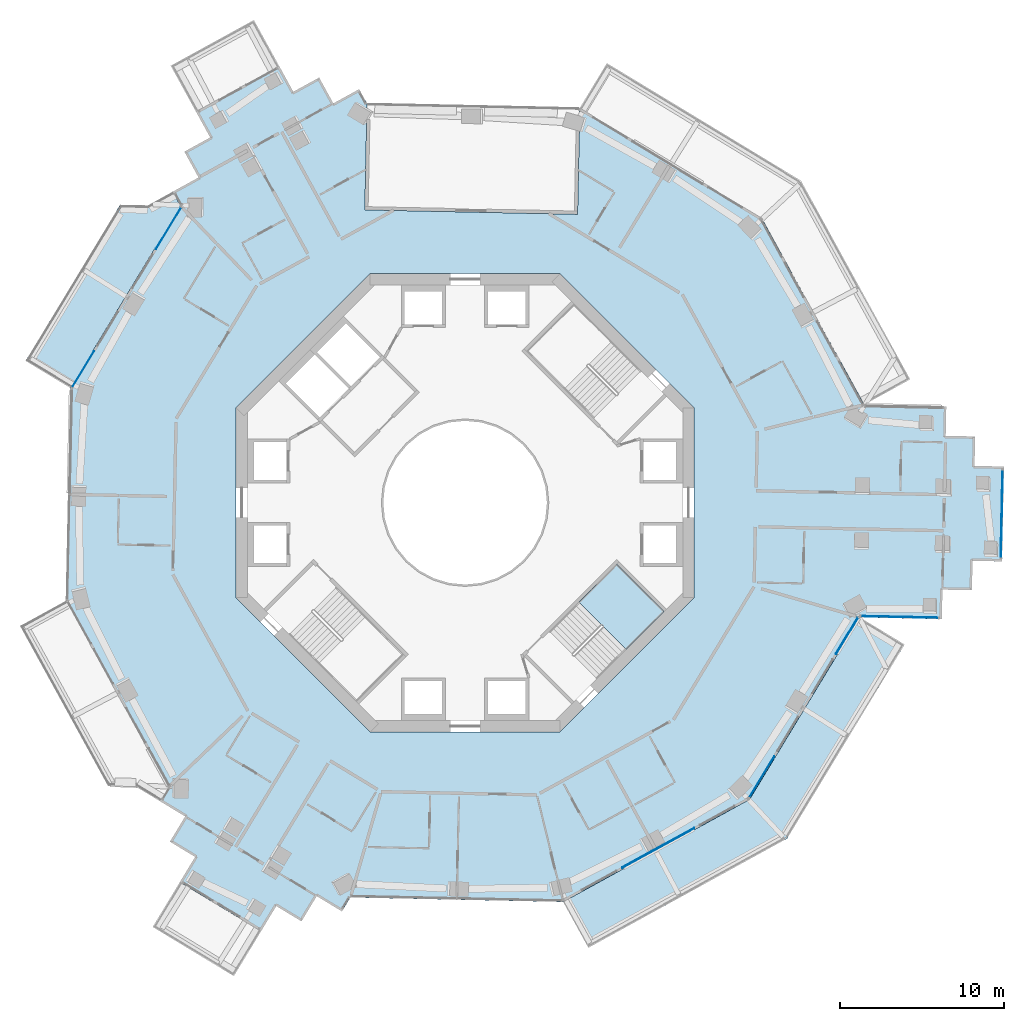
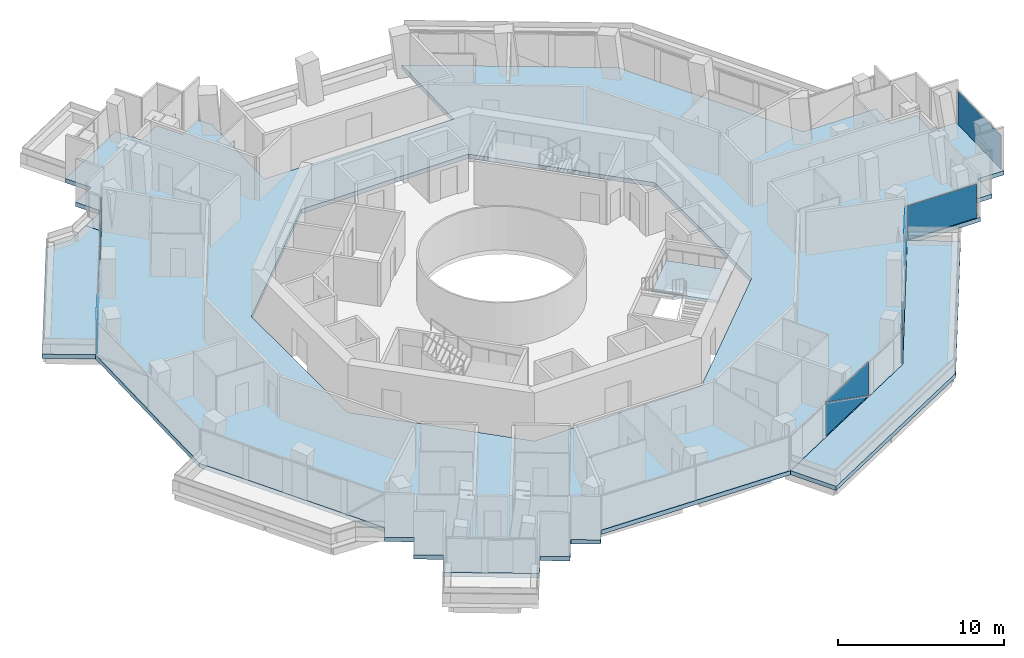
# One storey, part 12 of 22: 9 plates, 4 slabs, 6 elements without a shape of their own.
"""IFC4 building model written with IfcOpenShell, lengths in metres."""

from ifc_helpers import new_model, si_unit, direction, frame, origin, origin_2d, place, context, subcontext, project, spatial, polyline, rectangle, outline, extrude, material, layer, layer_set, type_object, element, aggregate, save


model = new_model("IFC4")

# Units and contexts
model_context = context("Model", 3, precision=1e-05, world=origin(), true_north=direction((0.0, 1.0)))
body_context = subcontext(model_context, "Body", "Model", "MODEL_VIEW")
ifc_project = project(units=[si_unit("LENGTHUNIT", "METRE"), si_unit("AREAUNIT", "SQUARE_METRE"), si_unit("VOLUMEUNIT", "CUBIC_METRE"), si_unit("PLANEANGLEUNIT", "RADIAN"), si_unit("MASSUNIT", "GRAM", prefix="KILO")], contexts=[model_context])

# Site, building, storey
site_placement = place(None, origin())
site = spatial("IfcSite", under=ifc_project, at=site_placement, CompositionType="ELEMENT")
building_placement = place(site_placement, origin())
building = spatial("IfcBuilding", under=site, at=building_placement, Name="Verdalira Terraces Hotel", CompositionType="ELEMENT")
storey_placement = place(building_placement, frame((0.0, 0.0, 150.5)))
storey = spatial("IfcBuildingStorey", under=building, at=storey_placement, Name="L36", CompositionType="ELEMENT", Elevation=150.5)

# Slabs
ifc_material_1 = material(Name="Precast concrete C40/50", Category="concrete")
ifc_layer_1 = layer(ifc_material_1, 0.31005859375)
ifc_layer_set_1 = layer_set([ifc_layer_1], Name="Balcony deck 310")
slab_type_1 = type_object("IfcSlabType", Name="Balcony deck 310", PredefinedType="FLOOR", material=ifc_layer_set_1)
slab_1_placement = place(storey_placement, frame((0.0, 0.0, -0.310059)))
element("IfcSlab", 1, at=slab_1_placement, inside=storey, type_object=slab_type_1, Name="Balcony deck", PredefinedType="FLOOR", context=body_context, shape_type="SweptSolid", body=[
    extrude(outline(polyline([(-21.07666, 18.203613), (-26.854004, 8.664307), (-24.116943, 7.006592), (-17.382568, 18.126221), (-17.864258, 19.002686), (-19.38208, 18.168213), (-21.07666, 18.203613)])), origin(), (0.0, 0.0, 1.0), 0.310059),
])
slab_2_placement = place(storey_placement, frame((0.0, 0.0, -0.310059)))
element("IfcSlab", 2, at=slab_2_placement, inside=storey, type_object=slab_type_1, Name="Balcony deck", PredefinedType="FLOOR", context=body_context, shape_type="SweptSolid", body=[
    extrude(outline(polyline([(26.854004, -8.664307), (24.116943, -7.006592), (17.382568, -18.126221), (5.990479, -24.38916), (7.532227, -27.193359), (19.675537, -20.517334), (26.854004, -8.664307)])), origin(), (0.0, 0.0, 1.0), 0.310059),
])

# Curtain wall, plates
ifc_material_2 = material(Name="Clear glass", Category="glass")
ifc_layer_2 = layer(ifc_material_2, 0.14990234375)
ifc_layer_set_2 = layer_set([ifc_layer_2], Name="CW1 curtain wall")
curtain_wall_type_1 = type_object("IfcCurtainWallType", Name="CW1 curtain wall", PredefinedType="NOTDEFINED", material=ifc_layer_set_2)
curtain_wall_1_placement = place(storey_placement, origin())
curtain_wall_1 = element("IfcCurtainWall", 3, at=curtain_wall_1_placement, inside=storey, type_object=curtain_wall_type_1, Name="CW1 curtain wall L36 edge 11", PredefinedType="NOTDEFINED")
ifc_material_3 = material(Name="Clear glass", Category="glass")
ifc_layer_3 = layer(ifc_material_3, 0.028076171875)
ifc_layer_set_3 = layer_set([ifc_layer_3], Name="CW1 glass unit 28")
plate_type_1 = type_object("IfcPlateType", Name="CW1 glass unit 28", PredefinedType="CURTAIN_PANEL", material=ifc_layer_set_3)
plate_1_placement = place(storey_placement, frame((-18.117432, 16.768066, 0.0), z_axis=(0.0, 0.0, 1.0), x_axis=(-0.518027009, -0.85536426, 0.0)))
plate_1 = element("IfcPlate", 4, at=plate_1_placement, type_object=plate_type_1, Name="CW1 glass unit", PredefinedType="CURTAIN_PANEL", context=body_context, shape_type="SweptSolid", body=[
    extrude(rectangle(XDim=2.965088, YDim=0.028076, at=origin_2d()), origin(), (0.0, 0.0, 1.0), 2.475098),
])
plate_2_placement = place(storey_placement, frame((-23.33667, 8.150146, 0.0), z_axis=(0.0, 0.0, 1.0), x_axis=(-0.518027009, -0.85536426, 0.0)))
plate_2 = element("IfcPlate", 5, at=plate_2_placement, type_object=plate_type_1, Name="CW1 glass unit", PredefinedType="CURTAIN_PANEL", context=body_context, shape_type="SweptSolid", body=[
    extrude(rectangle(XDim=2.564209, YDim=0.028076, at=origin_2d()), origin(), (0.0, 0.0, 1.0), 2.475098),
])
aggregate(curtain_wall_1, [plate_1, plate_2])

curtain_wall_2_placement = place(storey_placement, origin())
curtain_wall_2 = element("IfcCurtainWall", 6, at=curtain_wall_2_placement, inside=storey, type_object=curtain_wall_type_1, Name="CW1 curtain wall L36 edge 26", PredefinedType="NOTDEFINED")
plate_3_placement = place(storey_placement, frame((11.800293, -21.09375, 1.237549), z_axis=(0.481753674, -0.87630668, 0.0), x_axis=(0.87630668, 0.481753674, 0.0)))
plate_3 = element("IfcPlate", 7, at=plate_3_placement, type_object=plate_type_1, Name="CW1 glass unit", PredefinedType="CURTAIN_PANEL", context=body_context, shape_type="SweptSolid", body=[
    extrude(outline(polyline([(-2.510742, -1.237549), (2.510742, -1.237549), (-2.510742, 1.237549), (-2.510742, -1.237549)])), origin(), (0.0, 0.0, 1.0), 0.028076),
])
plate_4_placement = place(storey_placement, frame((11.786377, -21.068115, 1.237549), z_axis=(0.481753674, -0.87630668, 0.0), x_axis=(0.87630668, 0.481753674, 0.0)))
plate_4 = element("IfcPlate", 8, at=plate_4_placement, type_object=plate_type_1, Name="CW1 glass unit", PredefinedType="CURTAIN_PANEL", context=body_context, shape_type="SweptSolid", body=[
    extrude(outline(polyline([(2.510742, -1.237549), (2.510742, 1.237549), (-2.510742, 1.237549), (2.510742, -1.237549)])), origin(), (0.0, 0.0, 1.0), 0.028076),
])
aggregate(curtain_wall_2, [plate_3, plate_4])

curtain_wall_3_placement = place(storey_placement, origin())
curtain_wall_3 = element("IfcCurtainWall", 9, at=curtain_wall_3_placement, inside=storey, type_object=curtain_wall_type_1, Name="CW1 curtain wall L36 edge 27", PredefinedType="NOTDEFINED")
plate_5_placement = place(storey_placement, frame((18.12793, -16.750977, 0.0), z_axis=(0.0, 0.0, 1.0), x_axis=(0.518027009, 0.85536426, 0.0)))
plate_5 = element("IfcPlate", 10, at=plate_5_placement, type_object=plate_type_1, Name="CW1 glass unit", PredefinedType="CURTAIN_PANEL", context=body_context, shape_type="SweptSolid", body=[
    extrude(rectangle(XDim=2.924805, YDim=0.028076, at=origin_2d()), origin(), (0.0, 0.0, 1.0), 2.475098),
])
plate_6_placement = place(storey_placement, frame((23.335205, -8.125732, 1.237549), z_axis=(0.85536426, -0.518027009, 0.0), x_axis=(0.518027009, 0.85536426, 0.0)))
plate_6 = element("IfcPlate", 11, at=plate_6_placement, type_object=plate_type_1, Name="CW1 glass unit", PredefinedType="CURTAIN_PANEL", context=body_context, shape_type="SweptSolid", body=[
    extrude(outline(polyline([(-1.302246, -1.237549), (1.302246, -1.237549), (-1.302246, 1.237549), (-1.302246, -1.237549)])), origin(), (0.0, 0.0, 1.0), 0.028076),
])
plate_7_placement = place(storey_placement, frame((23.310303, -8.11084, 1.237549), z_axis=(0.85536426, -0.518027009, 0.0), x_axis=(0.518027009, 0.85536426, 0.0)))
plate_7 = element("IfcPlate", 12, at=plate_7_placement, type_object=plate_type_1, Name="CW1 glass unit", PredefinedType="CURTAIN_PANEL", context=body_context, shape_type="SweptSolid", body=[
    extrude(outline(polyline([(1.302246, -1.237549), (1.302246, 1.237549), (-1.302246, 1.237549), (1.302246, -1.237549)])), origin(), (0.0, 0.0, 1.0), 0.028076),
])
aggregate(curtain_wall_3, [plate_5, plate_6, plate_7])

# Curtain wall, plate
ifc_material_4 = material(Name="Clear glass", Category="glass")
ifc_layer_4 = layer(ifc_material_4, 0.14990234375)
ifc_layer_set_4 = layer_set([ifc_layer_4], Name="CW2 curtain wall")
curtain_wall_type_2 = type_object("IfcCurtainWallType", Name="CW2 curtain wall", PredefinedType="NOTDEFINED", material=ifc_layer_set_4)
curtain_wall_4_placement = place(storey_placement, origin())
curtain_wall_4 = element("IfcCurtainWall", 13, at=curtain_wall_4_placement, inside=storey, type_object=curtain_wall_type_2, Name="CW2 curtain wall L36 edge 28", PredefinedType="NOTDEFINED")
ifc_material_5 = material(Name="Clear glass", Category="glass")
ifc_layer_5 = layer(ifc_material_5, 0.031982421875)
ifc_layer_set_5 = layer_set([ifc_layer_5], Name="CW2 glass unit 32")
plate_type_2 = type_object("IfcPlateType", Name="CW2 glass unit 32", PredefinedType="CURTAIN_PANEL", material=ifc_layer_set_5)
plate_8_placement = place(storey_placement, frame((26.549072, -6.982422, 0.0), z_axis=(0.0, 0.0, 1.0), x_axis=(0.999780683, -0.02094242, 0.0)))
plate_8 = element("IfcPlate", 14, at=plate_8_placement, type_object=plate_type_2, Name="CW2 glass unit", PredefinedType="CURTAIN_PANEL", context=body_context, shape_type="SweptSolid", body=[
    extrude(rectangle(XDim=4.722412, YDim=0.031982, at=origin_2d()), origin(), (0.0, 0.0, 1.0), 2.475098),
])
aggregate(curtain_wall_4, [plate_8])

ifc_material_6 = material(Name="Clear glass", Category="glass")
ifc_layer_6 = layer(ifc_material_6, 0.14990234375)
ifc_layer_set_6 = layer_set([ifc_layer_6], Name="CW3 curtain wall")
curtain_wall_type_3 = type_object("IfcCurtainWallType", Name="CW3 curtain wall", PredefinedType="NOTDEFINED", material=ifc_layer_set_6)
curtain_wall_5_placement = place(storey_placement, origin())
curtain_wall_5 = element("IfcCurtainWall", 15, at=curtain_wall_5_placement, inside=storey, type_object=curtain_wall_type_3, Name="CW3 curtain wall L36 edge 33", PredefinedType="NOTDEFINED")
ifc_material_7 = material(Name="Clear glass", Category="glass")
ifc_layer_7 = layer(ifc_material_7, 0.035888671875)
ifc_layer_set_7 = layer_set([ifc_layer_7], Name="CW3 glass unit 36")
plate_type_3 = type_object("IfcPlateType", Name="CW3 glass unit 36", PredefinedType="CURTAIN_PANEL", material=ifc_layer_set_7)
plate_9_placement = place(storey_placement, frame((32.788574, -0.686768, 0.0), z_axis=(0.0, 0.0, 1.0), x_axis=(0.02094242, 0.999780683, 0.0)))
plate_9 = element("IfcPlate", 16, at=plate_9_placement, type_object=plate_type_3, Name="CW3 glass unit", PredefinedType="CURTAIN_PANEL", context=body_context, shape_type="SweptSolid", body=[
    extrude(rectangle(XDim=5.340088, YDim=0.035889, at=origin_2d()), origin(), (0.0, 0.0, 1.0), 2.475098),
])
aggregate(curtain_wall_5, [plate_9])

# Stair, slab
ifc_material_8 = material(Name="Concrete C40", Category="concrete")
stair_type = type_object("IfcStairType", Name="Core stair 20 risers 2000 mm wide", PredefinedType="HALF_TURN_STAIR", material=ifc_material_8)
stair_placement = place(storey_placement, origin())
stair = element("IfcStair", 17, at=stair_placement, inside=storey, type_object=stair_type, Name="L36 Exit stair ST3", PredefinedType="HALF_TURN_STAIR")
ifc_material_9 = material(Name="Concrete C40", Category="concrete")
ifc_layer_8 = layer(ifc_material_9, 0.199951171875)
ifc_layer_set_8 = layer_set([ifc_layer_8], Name="Core stair landing 200 mm")
slab_type_2 = type_object("IfcSlabType", Name="Core stair landing 200 mm", PredefinedType="LANDING", material=ifc_layer_set_8)
slab_3_placement = place(storey_placement, frame((0.0, 0.0, 1.550049)))
slab_3 = element("IfcSlab", 18, at=slab_3_placement, type_object=slab_type_2, Name="ST3 landing 1", PredefinedType="LANDING", context=body_context, shape_type="SweptSolid", body=[
    extrude(outline(polyline([(9.842529, -8.966553), (12.162354, -6.646729), (9.263184, -3.747559), (6.943359, -6.067383), (9.842529, -8.966553)])), origin(), (0.0, 0.0, 1.0), 0.199951),
])
aggregate(stair, [slab_3])

# Slab
ifc_material_10 = material(Name="Concrete C40", Category="concrete")
ifc_layer_9 = layer(ifc_material_10, 0.31005859375)
ifc_layer_set_9 = layer_set([ifc_layer_9], Name="Floor slab 310 C40")
slab_type_3 = type_object("IfcSlabType", Name="Floor slab 310 C40", PredefinedType="FLOOR", material=ifc_layer_set_9)
slab_4_placement = place(storey_placement, frame((0.0, 0.0, -0.310059)))
element("IfcSlab", 19, at=slab_4_placement, inside=storey, type_object=slab_type_3, Name="Floor slab L36", PredefinedType="FLOOR", context=body_context, shape_type="SweptSolid", body=[
    extrude(outline(polyline([(24.38916, 5.990479), (18.126221, 17.382568), (7.00708, 24.116699), (6.871094, 17.61792), (-6.127197, 17.890137), (-5.990967, 24.389648), (-5.990723, 24.389648), (-6.472412, 25.265381), (-8.049805, 24.398193), (-8.916748, 25.975586), (-10.494141, 25.108398), (-11.361328, 26.685791), (-16.443848, 23.891602), (-15.57666, 22.314209), (-17.154053, 21.447266), (-16.286865, 19.869873), (-17.864258, 19.002686), (-17.382568, 18.126221), (-24.116943, 7.006592), (-24.38916, -5.990479), (-18.126221, -17.382568), (-18.644287, -18.237793), (-17.104736, -19.17041), (-18.037109, -20.709961), (-16.497559, -21.642578), (-17.429932, -23.182129), (-12.46875, -26.186768), (-11.536377, -24.646973), (-9.996582, -25.57959), (-9.064209, -24.039795), (-7.524658, -24.972168), (-7.006592, -24.116943), (5.990479, -24.38916), (17.382568, -18.126221), (24.116943, -7.006592), (29.128418, -7.111572), (29.166016, -5.312012), (30.965576, -5.349609), (31.003418, -3.550049), (32.802979, -3.587891), (32.924316, 2.210938), (31.124756, 2.248779), (31.162354, 4.04834), (29.362793, 4.085938), (29.400391, 5.885498), (24.38916, 5.990479)]), holes=[polyline([(5.799072, 14.0), (14.0, 5.799072), (14.0, -5.799072), (5.799072, -14.0), (-5.799072, -14.0), (-14.0, -5.799072), (-14.0, 5.799072), (-5.799072, 14.0), (5.799072, 14.0)])]), origin(), (0.0, 0.0, 1.0), 0.310059),
])

save(model, "model.ifc")
